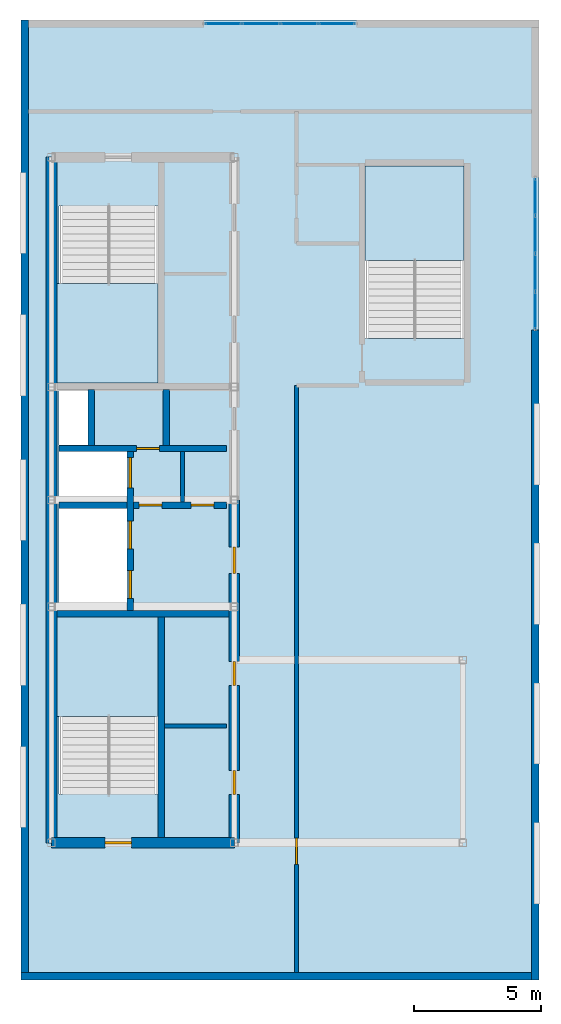
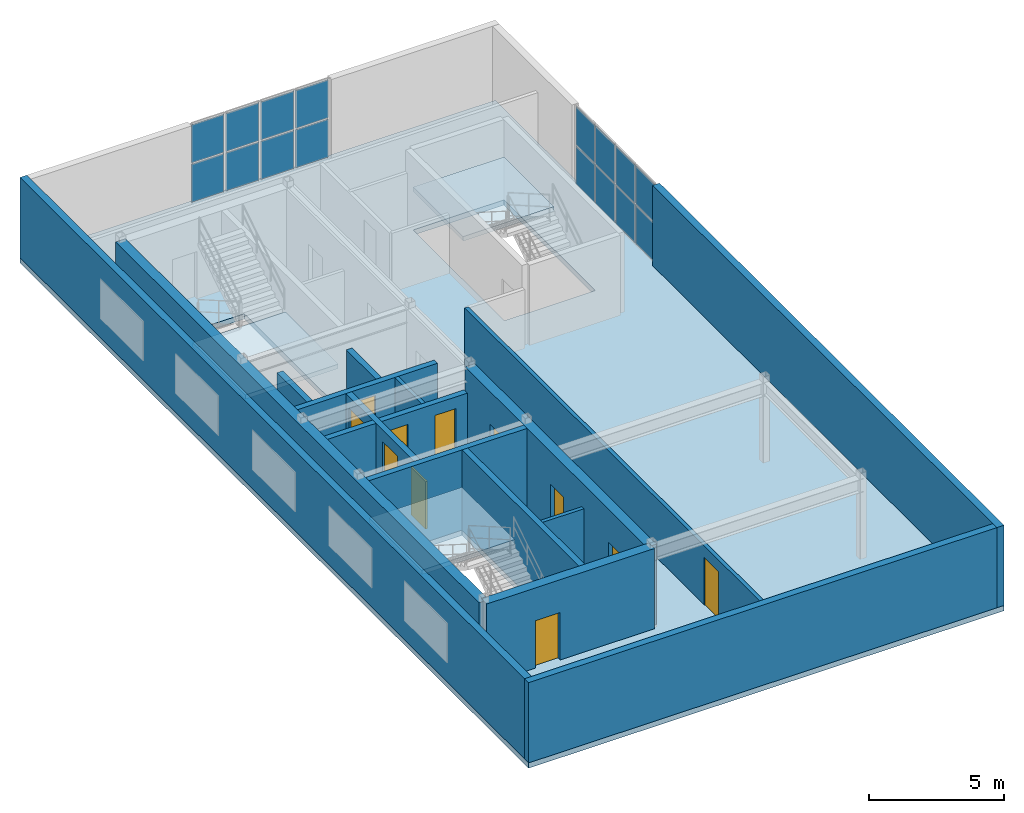
# One storey, part 4 of 6: 16 plates, 16 walls, 11 doors, 4 slabs, 11 openings, 5 elements without a shape of their own.
"""IFC4 building model written with IfcOpenShell, lengths in metres."""

from ifc_helpers import new_model, entity, si_unit, converted_unit, direction, frame, origin_with_axes, origin_2d_with_axis, place, context, subcontext, project, spatial, polyline, rectangle, outline, extrude, material, layer, layer_set, type_object, element, fill, aggregate, save


model = new_model("IFC4")

# Units and contexts
model_context = context("Model", 3, precision=1e-05, world=origin_with_axes(), true_north=direction((0.0, 1.0)))
body_context = subcontext(model_context, "Body", "Model", "MODEL_VIEW")
ifc_project = project(units=[si_unit("LENGTHUNIT", "METRE"), si_unit("AREAUNIT", "SQUARE_METRE"), si_unit("VOLUMEUNIT", "CUBIC_METRE"), converted_unit("PLANEANGLEUNIT", "DEGREE", entity("IfcPlaneAngleMeasure", 0.017453292519943295), si_unit("PLANEANGLEUNIT", "RADIAN"), dimensions=[0, 0, 0, 0, 0, 0, 0]), si_unit("MASSUNIT", "GRAM", prefix="KILO"), si_unit("THERMODYNAMICTEMPERATUREUNIT", "KELVIN")], contexts=[model_context])

# Site, building, storey
site_placement = place(None, origin_with_axes())
site = spatial("IfcSite", under=ifc_project, at=site_placement, CompositionType="ELEMENT")
building_placement = place(site_placement, origin_with_axes())
building = spatial("IfcBuilding", under=site, at=building_placement, Name="Varnlund Millrace Tower", CompositionType="ELEMENT")
storey_placement = place(building_placement, frame((0.0, 0.0, 324.3), z_axis=(0.0, 0.0, 1.0), x_axis=(1.0, 0.0, 0.0)))
storey = spatial("IfcBuildingStorey", under=building, at=storey_placement, Name="L80", CompositionType="ELEMENT", Elevation=324.3)

# Curtain wall, plates
ifc_material_1 = material(Name="Thermally broken architectural bronze curtain wall", Category="aluminium")
curtain_wall_type = type_object("IfcCurtainWallType", Name="Type-CW-Sys7-CrownLantern", PredefinedType="NOTDEFINED", material=ifc_material_1)
curtain_wall_1_placement = place(storey_placement, frame((30.45, 37.0, 0.0), z_axis=(0.0, 0.0, 1.0), x_axis=(1.0, 0.0, 0.0)))
curtain_wall_1 = element("IfcCurtainWall", 1, at=curtain_wall_1_placement, inside=storey, type_object=curtain_wall_type, Name="Type-CW-Sys7-CrownLantern", PredefinedType="NOTDEFINED")
ifc_material_2 = material(Name="Fritted low-e triple-glazed lantern curtain-wall unit", Category="glass")
ifc_layer_1 = layer(ifc_material_2, 0.032, Name="Fritted low-e triple-glazed lantern curtain-wall unit")
ifc_layer_set_1 = layer_set([ifc_layer_1], Name="Fritted low-e triple-glazed lantern curtain-wall unit")
plate_type = type_object("IfcPlateType", Name="Type-CW-Panel-Clerestory-32", PredefinedType="CURTAIN_PANEL", material=ifc_layer_set_1)
plate_1_placement = place(storey_placement, frame((30.45, 36.23375, 0.065), z_axis=(0.0, 0.0, 1.0), x_axis=(0.0, -1.0, 0.0)))
plate_1 = element("IfcPlate", 2, at=plate_1_placement, type_object=plate_type, Name="CW-07 panel 1.1", PredefinedType="CURTAIN_PANEL", context=body_context, shape_type="SweptSolid", body=[
    extrude(rectangle(XDim=1.4025, YDim=0.032, at=origin_2d_with_axis()), origin_with_axes(), (0.0, 0.0, 1.0), 1.7225),
])
plate_2_placement = place(storey_placement, frame((30.45, 36.23375, 1.8525), z_axis=(0.0, 0.0, 1.0), x_axis=(0.0, -1.0, 0.0)))
plate_2 = element("IfcPlate", 3, at=plate_2_placement, type_object=plate_type, Name="CW-07 panel 1.2", PredefinedType="CURTAIN_PANEL", context=body_context, shape_type="SweptSolid", body=[
    extrude(rectangle(XDim=1.4025, YDim=0.032, at=origin_2d_with_axis()), origin_with_axes(), (0.0, 0.0, 1.0), 1.7225),
])
plate_3_placement = place(storey_placement, frame((30.45, 34.75, 0.065), z_axis=(0.0, 0.0, 1.0), x_axis=(0.0, -1.0, 0.0)))
plate_3 = element("IfcPlate", 4, at=plate_3_placement, type_object=plate_type, Name="CW-07 panel 2.1", PredefinedType="CURTAIN_PANEL", context=body_context, shape_type="SweptSolid", body=[
    extrude(rectangle(XDim=1.435, YDim=0.032, at=origin_2d_with_axis()), origin_with_axes(), (0.0, 0.0, 1.0), 1.7225),
])
plate_4_placement = place(storey_placement, frame((30.45, 34.75, 1.8525), z_axis=(0.0, 0.0, 1.0), x_axis=(0.0, -1.0, 0.0)))
plate_4 = element("IfcPlate", 5, at=plate_4_placement, type_object=plate_type, Name="CW-07 panel 2.2", PredefinedType="CURTAIN_PANEL", context=body_context, shape_type="SweptSolid", body=[
    extrude(rectangle(XDim=1.435, YDim=0.032, at=origin_2d_with_axis()), origin_with_axes(), (0.0, 0.0, 1.0), 1.7225),
])
plate_5_placement = place(storey_placement, frame((30.45, 33.25, 0.065), z_axis=(0.0, 0.0, 1.0), x_axis=(0.0, -1.0, 0.0)))
plate_5 = element("IfcPlate", 6, at=plate_5_placement, type_object=plate_type, Name="CW-07 panel 3.1", PredefinedType="CURTAIN_PANEL", context=body_context, shape_type="SweptSolid", body=[
    extrude(rectangle(XDim=1.435, YDim=0.032, at=origin_2d_with_axis()), origin_with_axes(), (0.0, 0.0, 1.0), 1.7225),
])
plate_6_placement = place(storey_placement, frame((30.45, 33.25, 1.8525), z_axis=(0.0, 0.0, 1.0), x_axis=(0.0, -1.0, 0.0)))
plate_6 = element("IfcPlate", 7, at=plate_6_placement, type_object=plate_type, Name="CW-07 panel 3.2", PredefinedType="CURTAIN_PANEL", context=body_context, shape_type="SweptSolid", body=[
    extrude(rectangle(XDim=1.435, YDim=0.032, at=origin_2d_with_axis()), origin_with_axes(), (0.0, 0.0, 1.0), 1.7225),
])
plate_7_placement = place(storey_placement, frame((30.45, 31.76625, 0.065), z_axis=(0.0, 0.0, 1.0), x_axis=(0.0, -1.0, 0.0)))
plate_7 = element("IfcPlate", 8, at=plate_7_placement, type_object=plate_type, Name="CW-07 panel 4.1", PredefinedType="CURTAIN_PANEL", context=body_context, shape_type="SweptSolid", body=[
    extrude(rectangle(XDim=1.4025, YDim=0.032, at=origin_2d_with_axis()), origin_with_axes(), (0.0, 0.0, 1.0), 1.7225),
])
plate_8_placement = place(storey_placement, frame((30.45, 31.76625, 1.8525), z_axis=(0.0, 0.0, 1.0), x_axis=(0.0, -1.0, 0.0)))
plate_8 = element("IfcPlate", 9, at=plate_8_placement, type_object=plate_type, Name="CW-07 panel 4.2", PredefinedType="CURTAIN_PANEL", context=body_context, shape_type="SweptSolid", body=[
    extrude(rectangle(XDim=1.4025, YDim=0.032, at=origin_2d_with_axis()), origin_with_axes(), (0.0, 0.0, 1.0), 1.7225),
])
aggregate(curtain_wall_1, [plate_1, plate_2, plate_3, plate_4, plate_5, plate_6, plate_7, plate_8])

curtain_wall_2_placement = place(storey_placement, frame((17.4, 43.05, 0.0), z_axis=(0.0, 0.0, 1.0), x_axis=(1.0, 0.0, 0.0)))
curtain_wall_2 = element("IfcCurtainWall", 10, at=curtain_wall_2_placement, inside=storey, type_object=curtain_wall_type, Name="Type-CW-Sys7-CrownLantern", PredefinedType="NOTDEFINED")
plate_9_placement = place(storey_placement, frame((18.16625, 43.05, 0.065), z_axis=(0.0, 0.0, 1.0), x_axis=(1.0, 0.0, 0.0)))
plate_9 = element("IfcPlate", 11, at=plate_9_placement, type_object=plate_type, Name="CW-07 panel 1.1", PredefinedType="CURTAIN_PANEL", context=body_context, shape_type="SweptSolid", body=[
    extrude(rectangle(XDim=1.4025, YDim=0.032, at=origin_2d_with_axis()), origin_with_axes(), (0.0, 0.0, 1.0), 1.7225),
])
plate_10_placement = place(storey_placement, frame((18.16625, 43.05, 1.8525), z_axis=(0.0, 0.0, 1.0), x_axis=(1.0, 0.0, 0.0)))
plate_10 = element("IfcPlate", 12, at=plate_10_placement, type_object=plate_type, Name="CW-07 panel 1.2", PredefinedType="CURTAIN_PANEL", context=body_context, shape_type="SweptSolid", body=[
    extrude(rectangle(XDim=1.4025, YDim=0.032, at=origin_2d_with_axis()), origin_with_axes(), (0.0, 0.0, 1.0), 1.7225),
])
plate_11_placement = place(storey_placement, frame((19.65, 43.05, 0.065), z_axis=(0.0, 0.0, 1.0), x_axis=(1.0, 0.0, 0.0)))
plate_11 = element("IfcPlate", 13, at=plate_11_placement, type_object=plate_type, Name="CW-07 panel 2.1", PredefinedType="CURTAIN_PANEL", context=body_context, shape_type="SweptSolid", body=[
    extrude(rectangle(XDim=1.435, YDim=0.032, at=origin_2d_with_axis()), origin_with_axes(), (0.0, 0.0, 1.0), 1.7225),
])
plate_12_placement = place(storey_placement, frame((19.65, 43.05, 1.8525), z_axis=(0.0, 0.0, 1.0), x_axis=(1.0, 0.0, 0.0)))
plate_12 = element("IfcPlate", 14, at=plate_12_placement, type_object=plate_type, Name="CW-07 panel 2.2", PredefinedType="CURTAIN_PANEL", context=body_context, shape_type="SweptSolid", body=[
    extrude(rectangle(XDim=1.435, YDim=0.032, at=origin_2d_with_axis()), origin_with_axes(), (0.0, 0.0, 1.0), 1.7225),
])
plate_13_placement = place(storey_placement, frame((21.15, 43.05, 0.065), z_axis=(0.0, 0.0, 1.0), x_axis=(1.0, 0.0, 0.0)))
plate_13 = element("IfcPlate", 15, at=plate_13_placement, type_object=plate_type, Name="CW-07 panel 3.1", PredefinedType="CURTAIN_PANEL", context=body_context, shape_type="SweptSolid", body=[
    extrude(rectangle(XDim=1.435, YDim=0.032, at=origin_2d_with_axis()), origin_with_axes(), (0.0, 0.0, 1.0), 1.7225),
])
plate_14_placement = place(storey_placement, frame((21.15, 43.05, 1.8525), z_axis=(0.0, 0.0, 1.0), x_axis=(1.0, 0.0, 0.0)))
plate_14 = element("IfcPlate", 16, at=plate_14_placement, type_object=plate_type, Name="CW-07 panel 3.2", PredefinedType="CURTAIN_PANEL", context=body_context, shape_type="SweptSolid", body=[
    extrude(rectangle(XDim=1.435, YDim=0.032, at=origin_2d_with_axis()), origin_with_axes(), (0.0, 0.0, 1.0), 1.7225),
])
plate_15_placement = place(storey_placement, frame((22.63375, 43.05, 0.065), z_axis=(0.0, 0.0, 1.0), x_axis=(1.0, 0.0, 0.0)))
plate_15 = element("IfcPlate", 17, at=plate_15_placement, type_object=plate_type, Name="CW-07 panel 4.1", PredefinedType="CURTAIN_PANEL", context=body_context, shape_type="SweptSolid", body=[
    extrude(rectangle(XDim=1.4025, YDim=0.032, at=origin_2d_with_axis()), origin_with_axes(), (0.0, 0.0, 1.0), 1.7225),
])
plate_16_placement = place(storey_placement, frame((22.63375, 43.05, 1.8525), z_axis=(0.0, 0.0, 1.0), x_axis=(1.0, 0.0, 0.0)))
plate_16 = element("IfcPlate", 18, at=plate_16_placement, type_object=plate_type, Name="CW-07 panel 4.2", PredefinedType="CURTAIN_PANEL", context=body_context, shape_type="SweptSolid", body=[
    extrude(rectangle(XDim=1.4025, YDim=0.032, at=origin_2d_with_axis()), origin_with_axes(), (0.0, 0.0, 1.0), 1.7225),
])
aggregate(curtain_wall_2, [plate_9, plate_10, plate_11, plate_12, plate_13, plate_14, plate_15, plate_16])

# Slab
ifc_material_3 = material(Name="Concrete C60/75", Category="concrete")
ifc_layer_2 = layer(ifc_material_3, 0.24, Name="Concrete C60/75")
ifc_layer_set_2 = layer_set([ifc_layer_2], Name="Concrete C60/75")
slab_type_1 = type_object("IfcSlabType", Name="Type-Deck-Plate-Typical-240", PredefinedType="FLOOR", material=ifc_layer_set_2)
slab_1_placement = place(storey_placement, frame((0.0, 0.0, -0.24), z_axis=(0.0, 0.0, 1.0), x_axis=(1.0, 0.0, 0.0)))
element("IfcSlab", 19, at=slab_1_placement, inside=storey, type_object=slab_type_1, Name="Type-Deck-Plate-Typical-240", PredefinedType="FLOOR", context=body_context, shape_type="SweptSolid", body=[
    extrude(outline(polyline([(30.6, 5.4), (30.6, 43.2), (10.2, 43.2), (10.2, 5.4), (30.6, 5.4)]), holes=[polyline([(11.7, 19.7), (15.6, 19.7), (15.6, 12.715), (11.7, 12.715), (11.7, 19.7)]), polyline([(11.7, 19.94), (11.7, 23.98), (14.38, 23.98), (14.38, 19.94), (11.7, 19.94)]), polyline([(14.38, 26.2), (14.38, 24.24), (11.7, 24.24), (11.7, 26.2), (14.38, 26.2)]), polyline([(12.84, 28.65), (12.84, 26.46), (11.7, 26.46), (11.7, 28.65), (12.84, 28.65)]), polyline([(15.6, 35.885), (15.6, 28.9), (11.7, 28.9), (11.7, 35.885), (15.6, 35.885)]), polyline([(27.65, 37.45), (27.65, 30.665), (23.75, 30.665), (23.75, 37.45), (27.65, 37.45)])]), origin_with_axes(), (0.0, 0.0, 1.0), 0.24),
])

# Stair, slab
ifc_material_4 = material(Name="Concrete C50/60", Category="concrete")
stair_type = type_object("IfcStairType", Name="Type-Stair-Dogleg-185-390", PredefinedType="HALF_TURN_STAIR", material=ifc_material_4)
stair_1_placement = place(storey_placement, origin_with_axes())
stair_1 = element("IfcStair", 20, at=stair_1_placement, inside=storey, type_object=stair_type, Name="Type-Stair-Dogleg-185-390", PredefinedType="HALF_TURN_STAIR")
ifc_layer_3 = layer(ifc_material_4, 0.2, Name="Concrete C50/60")
ifc_layer_set_3 = layer_set([ifc_layer_3], Name="Concrete C50/60")
slab_type_2 = type_object("IfcSlabType", Name="Type-StairLanding-200", PredefinedType="LANDING", material=ifc_layer_set_3)
slab_2_placement = place(storey_placement, frame((0.0, 0.0, 1.75), z_axis=(0.0, 0.0, 1.0), x_axis=(1.0, 0.0, 0.0)))
slab_2 = element("IfcSlab", 21, at=slab_2_placement, type_object=slab_type_2, Name="ST-A1 landing 1", PredefinedType="LANDING", context=body_context, shape_type="SweptSolid", body=[
    extrude(outline(polyline([(15.6, 15.78), (15.6, 19.7), (11.61, 19.7), (11.61, 15.78), (15.6, 15.78)])), origin_with_axes(), (0.0, 0.0, 1.0), 0.2),
])
aggregate(stair_1, [slab_2])

stair_2_placement = place(storey_placement, origin_with_axes())
stair_2 = element("IfcStair", 22, at=stair_2_placement, inside=storey, type_object=stair_type, Name="Type-Stair-Dogleg-185-390", PredefinedType="HALF_TURN_STAIR")
slab_3_placement = place(storey_placement, frame((0.0, 0.0, 1.75), z_axis=(0.0, 0.0, 1.0), x_axis=(1.0, 0.0, 0.0)))
slab_3 = element("IfcSlab", 23, at=slab_3_placement, type_object=slab_type_2, Name="ST-A2 landing 1", PredefinedType="LANDING", context=body_context, shape_type="SweptSolid", body=[
    extrude(outline(polyline([(11.61, 32.82), (11.61, 28.9), (15.6, 28.9), (15.6, 32.82), (11.61, 32.82)])), origin_with_axes(), (0.0, 0.0, 1.0), 0.2),
])
aggregate(stair_2, [slab_3])

stair_3_placement = place(storey_placement, origin_with_axes())
stair_3 = element("IfcStair", 24, at=stair_3_placement, inside=storey, type_object=stair_type, Name="Type-Stair-Dogleg-185-390", PredefinedType="HALF_TURN_STAIR")
slab_4_placement = place(storey_placement, frame((0.0, 0.0, 1.75), z_axis=(0.0, 0.0, 1.0), x_axis=(1.0, 0.0, 0.0)))
slab_4 = element("IfcSlab", 25, at=slab_4_placement, type_object=slab_type_2, Name="ST-A3 landing 1", PredefinedType="LANDING", context=body_context, shape_type="SweptSolid", body=[
    extrude(outline(polyline([(27.65, 33.73), (27.65, 37.45), (23.75, 37.45), (23.75, 33.73), (27.65, 33.73)])), origin_with_axes(), (0.0, 0.0, 1.0), 0.2),
])
aggregate(stair_3, [slab_4])

# Wall
ifc_layer_4 = layer(ifc_material_3, 0.42, Name="Concrete C60/75")
ifc_layer_set_4 = layer_set([ifc_layer_4], Name="Concrete C60/75")
wall_type_1 = type_object("IfcWallType", Name="Type-CoreWall-Shear-420-C60", PredefinedType="SHEAR", material=ifc_layer_set_4)
wall_1_placement = place(storey_placement, frame((11.4, 10.8, 0.0), z_axis=(0.0, 0.0, 1.0), x_axis=(0.0, 1.0, 0.0)))
element("IfcWall", 26, at=wall_1_placement, inside=storey, type_object=wall_type_1, Name="Type-CoreWall-Shear-420-C60", PredefinedType="SHEAR", context=body_context, shape_type="SweptSolid", body=[
    extrude(outline(polyline([(0.0, -0.21), (27.0, -0.21), (27.0, 0.21), (0.0, 0.21), (0.0, -0.21)])), origin_with_axes(), (0.0, 0.0, 1.0), 3.64),
])

# Wall, opening, door
wall_2_placement = place(storey_placement, frame((11.4, 10.8, 0.0), z_axis=(0.0, 0.0, 1.0), x_axis=(1.0, 0.0, 0.0)))
wall_2 = element("IfcWall", 27, at=wall_2_placement, inside=storey, type_object=wall_type_1, Name="Type-CoreWall-Shear-420-C60", PredefinedType="SHEAR", context=body_context, shape_type="SweptSolid", body=[
    extrude(outline(polyline([(0.0, -0.21), (7.2, -0.21), (7.2, 0.21), (0.0, 0.21), (0.0, -0.21)])), origin_with_axes(), (0.0, 0.0, 1.0), 3.64),
])
opening_1_placement = place(wall_2_placement, frame((2.625, 0.0, 0.0), z_axis=(0.0, 0.0, 1.0), x_axis=(1.0, 0.0, 0.0)))
opening_1 = element("IfcOpeningElement", 28, at=opening_1_placement, cuts=wall_2, Name="Opening L80:DR-STA1", PredefinedType="OPENING", context=body_context, shape_type="SweptSolid", body=[
    extrude(rectangle(XDim=1.05, YDim=0.44, at=origin_2d_with_axis()), origin_with_axes(), (0.0, 0.0, 1.0), 2.15),
])
ifc_material_5 = material(Name="Fire-rated hollow steel door", Category="steel")
door_type_1 = type_object("IfcDoorType", Name="Type-FireDoor-Stair-1050X2150", OperationType="NOTDEFINED", PredefinedType="DOOR", material=ifc_material_5)
door_1_placement = place(wall_2_placement, frame((2.625, 0.0, 0.0), z_axis=(0.0, 0.0, 1.0), x_axis=(1.0, 0.0, 0.0)))
door_1 = element("IfcDoor", 29, at=door_1_placement, inside=storey, type_object=door_type_1, Name="Type-FireDoor-Stair-1050X2150", OperationType="SINGLE_SWING_LEFT", OverallHeight=2.15, OverallWidth=1.05, PredefinedType="DOOR", context=body_context, shape_type="SweptSolid", body=[
    extrude(rectangle(XDim=1.05, YDim=0.09, at=origin_2d_with_axis()), origin_with_axes(), (0.0, 0.0, 1.0), 2.15),
])
fill(opening_1, door_1)

# Wall, openings, doors
wall_3_placement = place(storey_placement, frame((18.6, 10.8, 0.0), z_axis=(0.0, 0.0, 1.0), x_axis=(0.0, 1.0, 0.0)))
wall_3 = element("IfcWall", 30, at=wall_3_placement, inside=storey, type_object=wall_type_1, Name="Type-CoreWall-Shear-420-C60", PredefinedType="SHEAR", context=body_context, shape_type="SweptSolid", body=[
    extrude(outline(polyline([(0.0, -0.21), (13.5, -0.21), (13.5, 0.21), (0.0, 0.21), (0.0, -0.21)])), origin_with_axes(), (0.0, 0.0, 1.0), 3.64),
])
opening_2_placement = place(wall_3_placement, frame((11.125, 0.0, 0.0), z_axis=(0.0, 0.0, 1.0), x_axis=(1.0, 0.0, 0.0)))
opening_2 = element("IfcOpeningElement", 31, at=opening_2_placement, cuts=wall_3, Name="Opening L80:DR-FFLOB-A", PredefinedType="OPENING", context=body_context, shape_type="SweptSolid", body=[
    extrude(rectangle(XDim=1.05, YDim=0.44, at=origin_2d_with_axis()), origin_with_axes(), (0.0, 0.0, 1.0), 2.15),
])
opening_3_placement = place(wall_3_placement, frame((2.375, 0.0, 0.0), z_axis=(0.0, 0.0, 1.0), x_axis=(1.0, 0.0, 0.0)))
opening_3 = element("IfcOpeningElement", 32, at=opening_3_placement, cuts=wall_3, Name="Opening L80:DR-CRN-C1", PredefinedType="OPENING", context=body_context, shape_type="SweptSolid", body=[
    extrude(rectangle(XDim=0.95, YDim=0.44, at=origin_2d_with_axis()), origin_with_axes(), (0.0, 0.0, 1.0), 2.15),
])
opening_4_placement = place(wall_3_placement, frame((6.675, 0.0, 0.0), z_axis=(0.0, 0.0, 1.0), x_axis=(1.0, 0.0, 0.0)))
opening_4 = element("IfcOpeningElement", 33, at=opening_4_placement, cuts=wall_3, Name="Opening L80:DR-CRN-C2", PredefinedType="OPENING", context=body_context, shape_type="SweptSolid", body=[
    extrude(rectangle(XDim=0.95, YDim=0.44, at=origin_2d_with_axis()), origin_with_axes(), (0.0, 0.0, 1.0), 2.15),
])
ifc_material_6 = material(Name="Smoke-barrier hollow steel fire door", Category="steel")
door_type_2 = type_object("IfcDoorType", Name="Type-FireDoor-Lobby-1050X2150", OperationType="NOTDEFINED", PredefinedType="DOOR", material=ifc_material_6)
door_2_placement = place(wall_3_placement, frame((11.125, 0.0, 0.0), z_axis=(0.0, 0.0, 1.0), x_axis=(1.0, 0.0, 0.0)))
door_2 = element("IfcDoor", 34, at=door_2_placement, inside=storey, type_object=door_type_2, Name="Type-FireDoor-Lobby-1050X2150", OperationType="SINGLE_SWING_LEFT", OverallHeight=2.15, OverallWidth=1.05, PredefinedType="DOOR", context=body_context, shape_type="SweptSolid", body=[
    extrude(rectangle(XDim=1.05, YDim=0.09, at=origin_2d_with_axis()), origin_with_axes(), (0.0, 0.0, 1.0), 2.15),
])
fill(opening_2, door_2)
ifc_material_7 = material(Name="Fire-rated hollow steel core service door", Category="steel")
door_type_3 = type_object("IfcDoorType", Name="Type-FireDoor-Service-950X2150", OperationType="NOTDEFINED", PredefinedType="DOOR", material=ifc_material_7)
door_3_placement = place(wall_3_placement, frame((2.375, 0.0, 0.0), z_axis=(0.0, 0.0, 1.0), x_axis=(1.0, 0.0, 0.0)))
door_3 = element("IfcDoor", 35, at=door_3_placement, inside=storey, type_object=door_type_3, Name="Type-FireDoor-Service-950X2150", OperationType="SINGLE_SWING_LEFT", OverallHeight=2.15, OverallWidth=0.95, PredefinedType="DOOR", context=body_context, shape_type="SweptSolid", body=[
    extrude(rectangle(XDim=0.95, YDim=0.09, at=origin_2d_with_axis()), origin_with_axes(), (0.0, 0.0, 1.0), 2.15),
])
fill(opening_3, door_3)
door_4_placement = place(wall_3_placement, frame((6.675, 0.0, 0.0), z_axis=(0.0, 0.0, 1.0), x_axis=(1.0, 0.0, 0.0)))
door_4 = element("IfcDoor", 36, at=door_4_placement, inside=storey, type_object=door_type_3, Name="Type-FireDoor-Service-950X2150", OperationType="SINGLE_SWING_RIGHT", OverallHeight=2.15, OverallWidth=0.95, PredefinedType="DOOR", context=body_context, shape_type="SweptSolid", body=[
    extrude(rectangle(XDim=0.95, YDim=0.09, at=origin_2d_with_axis()), origin_with_axes(), (0.0, 0.0, 1.0), 2.15),
])
fill(opening_4, door_4)

# Walls
ifc_material_8 = material(Name="Precast concrete C50/60", Category="concrete")
ifc_layer_5 = layer(ifc_material_8, 0.3, Name="Precast concrete C50/60")
ifc_layer_set_5 = layer_set([ifc_layer_5], Name="Precast concrete C50/60")
wall_type_2 = type_object("IfcWallType", Name="Type-ExtWall-Precast-Crown-300", PredefinedType="SOLIDWALL", material=ifc_layer_set_5)
wall_4_placement = place(storey_placement, frame((10.35, 5.7, 0.0), z_axis=(0.0, 0.0, 1.0), x_axis=(0.0, 1.0, 0.0)))
element("IfcWall", 37, at=wall_4_placement, inside=storey, type_object=wall_type_2, Name="Type-ExtWall-Precast-Crown-300", PredefinedType="SOLIDWALL", context=body_context, shape_type="SweptSolid", body=[
    extrude(outline(polyline([(0.0, -0.15), (37.5, -0.15), (37.5, 0.15), (0.0, 0.15), (0.0, -0.15)])), origin_with_axes(), (0.0, 0.0, 1.0), 3.64),
])
wall_5_placement = place(storey_placement, frame((30.45, 31.0, 0.0), z_axis=(0.0, 0.0, 1.0), x_axis=(0.0, -1.0, 0.0)))
element("IfcWall", 38, at=wall_5_placement, inside=storey, type_object=wall_type_2, Name="Type-ExtWall-Precast-Crown-300", PredefinedType="SOLIDWALL", context=body_context, shape_type="SweptSolid", body=[
    extrude(outline(polyline([(0.0, -0.15), (25.6, -0.15), (25.6, 0.15), (0.0, 0.15), (0.0, -0.15)])), origin_with_axes(), (0.0, 0.0, 1.0), 3.64),
])
wall_6_placement = place(storey_placement, frame((30.3, 5.55, 0.0), z_axis=(0.0, 0.0, 1.0), x_axis=(-1.0, 0.0, 0.0)))
element("IfcWall", 39, at=wall_6_placement, inside=storey, type_object=wall_type_2, Name="Type-ExtWall-Precast-Crown-300", PredefinedType="SOLIDWALL", context=body_context, shape_type="SweptSolid", body=[
    extrude(outline(polyline([(0.0, -0.15), (20.1, -0.15), (20.1, 0.15), (0.0, 0.15), (0.0, -0.15)])), origin_with_axes(), (0.0, 0.0, 1.0), 3.64),
])
ifc_material_9 = material(Name="Fire-rated gypsum board on cold-formed steel framing", Category="steel")
ifc_layer_6 = layer(ifc_material_9, 0.16, Name="Fire-rated gypsum board on cold-formed steel framing")
ifc_layer_set_6 = layer_set([ifc_layer_6], Name="Fire-rated gypsum board on cold-formed steel framing")
wall_type_3 = type_object("IfcWallType", Name="Type-Partition-Corridor-160", PredefinedType="PARTITIONING", material=ifc_layer_set_6)
wall_7_placement = place(storey_placement, frame((16.55, 24.22, 0.0), z_axis=(0.0, 0.0, 1.0), x_axis=(0.0, 1.0, 0.0)))
element("IfcWall", 40, at=wall_7_placement, inside=storey, type_object=wall_type_3, Name="Type-Partition-Corridor-160", PredefinedType="PARTITIONING", context=body_context, shape_type="SweptSolid", body=[
    extrude(outline(polyline([(0.0, -0.08), (1.98, -0.08), (1.98, 0.08), (0.0, 0.08), (0.0, -0.08)])), origin_with_axes(), (0.0, 0.0, 1.0), 2.68),
])
wall_8_placement = place(storey_placement, frame((15.84, 15.4, 0.0), z_axis=(0.0, 0.0, 1.0), x_axis=(1.0, 0.0, 0.0)))
element("IfcWall", 41, at=wall_8_placement, inside=storey, type_object=wall_type_3, Name="Type-Partition-Corridor-160", PredefinedType="PARTITIONING", context=body_context, shape_type="SweptSolid", body=[
    extrude(outline(polyline([(0.0, -0.08), (2.46, -0.08), (2.46, 0.08), (0.0, 0.08), (0.0, -0.08)])), origin_with_axes(), (0.0, 0.0, 1.0), 2.68),
])

# Wall, opening, door
wall_9_placement = place(storey_placement, frame((21.05, 5.695, 0.0), z_axis=(0.0, 0.0, 1.0), x_axis=(0.0, 1.0, 0.0)))
wall_9 = element("IfcWall", 42, at=wall_9_placement, inside=storey, type_object=wall_type_3, Name="Type-Partition-Corridor-160", PredefinedType="PARTITIONING", context=body_context, shape_type="SweptSolid", body=[
    extrude(outline(polyline([(0.0, -0.08), (23.105, -0.08), (23.105, 0.08), (0.0, 0.08), (0.0, -0.08)])), origin_with_axes(), (0.0, 0.0, 1.0), 2.68),
])
opening_5_placement = place(wall_9_placement, frame((4.78, 0.0, 0.0), z_axis=(0.0, 0.0, 1.0), x_axis=(1.0, 0.0, 0.0)))
opening_5 = element("IfcOpeningElement", 43, at=opening_5_placement, cuts=wall_9, Name="Opening L80:DR-CRN-PLT", PredefinedType="OPENING", context=body_context, shape_type="SweptSolid", body=[
    extrude(rectangle(XDim=1.05, YDim=0.18, at=origin_2d_with_axis()), origin_with_axes(), (0.0, 0.0, 1.0), 2.15),
])
door_5_placement = place(wall_9_placement, frame((4.78, 0.0, 0.0), z_axis=(0.0, 0.0, 1.0), x_axis=(1.0, 0.0, 0.0)))
door_5 = element("IfcDoor", 44, at=door_5_placement, inside=storey, type_object=door_type_2, Name="Type-FireDoor-Lobby-1050X2150", OperationType="SINGLE_SWING_LEFT", OverallHeight=2.15, OverallWidth=1.05, PredefinedType="DOOR", context=body_context, shape_type="SweptSolid", body=[
    extrude(rectangle(XDim=1.05, YDim=0.09, at=origin_2d_with_axis()), origin_with_axes(), (0.0, 0.0, 1.0), 2.15),
])
fill(opening_5, door_5)

# Wall, openings, doors
ifc_layer_7 = layer(ifc_material_3, 0.25, Name="Concrete C60/75")
ifc_layer_set_7 = layer_set([ifc_layer_7], Name="Concrete C60/75")
wall_type_4 = type_object("IfcWallType", Name="Type-ShaftWall-Fire-250", PredefinedType="SOLIDWALL", material=ifc_layer_set_7)
wall_10_placement = place(storey_placement, frame((14.5, 19.95, 0.0), z_axis=(0.0, 0.0, 1.0), x_axis=(0.0, 1.0, 0.0)))
wall_10 = element("IfcWall", 45, at=wall_10_placement, inside=storey, type_object=wall_type_4, Name="Type-ShaftWall-Fire-250", PredefinedType="SOLIDWALL", context=body_context, shape_type="SweptSolid", body=[
    extrude(outline(polyline([(0.0, -0.125), (6.25, -0.125), (6.25, 0.125), (0.0, 0.125), (0.0, -0.125)])), origin_with_axes(), (0.0, 0.0, 1.0), 2.68),
])
opening_6_placement = place(wall_10_placement, frame((1.025, 0.0, 0.0), z_axis=(0.0, 0.0, 1.0), x_axis=(1.0, 0.0, 0.0)))
opening_6 = element("IfcOpeningElement", 46, at=opening_6_placement, cuts=wall_10, Name="Opening L80:LD-FSAE1", PredefinedType="OPENING", context=body_context, shape_type="SweptSolid", body=[
    extrude(rectangle(XDim=1.1, YDim=0.27, at=origin_2d_with_axis()), origin_with_axes(), (0.0, 0.0, 1.0), 2.15),
])
opening_7_placement = place(wall_10_placement, frame((2.975, 0.0, 0.0), z_axis=(0.0, 0.0, 1.0), x_axis=(1.0, 0.0, 0.0)))
opening_7 = element("IfcOpeningElement", 47, at=opening_7_placement, cuts=wall_10, Name="Opening L80:LD-FSAE2", PredefinedType="OPENING", context=body_context, shape_type="SweptSolid", body=[
    extrude(rectangle(XDim=1.1, YDim=0.27, at=origin_2d_with_axis()), origin_with_axes(), (0.0, 0.0, 1.0), 2.15),
])
opening_8_placement = place(wall_10_placement, frame((5.425, 0.0, 0.0), z_axis=(0.0, 0.0, 1.0), x_axis=(1.0, 0.0, 0.0)))
opening_8 = element("IfcOpeningElement", 48, at=opening_8_placement, cuts=wall_10, Name="Opening L80:LD-SRV1", PredefinedType="OPENING", context=body_context, shape_type="SweptSolid", body=[
    extrude(rectangle(XDim=1.2, YDim=0.27, at=origin_2d_with_axis()), origin_with_axes(), (0.0, 0.0, 1.0), 2.15),
])
ifc_material_10 = material(Name="Stainless and architectural bronze sliding landing door")
door_type_4 = type_object("IfcDoorType", Name="Type-LiftLandingDoor-1100X2150", OperationType="NOTDEFINED", PredefinedType="DOOR", material=ifc_material_10)
door_6_placement = place(wall_10_placement, frame((1.025, 0.0, 0.0), z_axis=(0.0, 0.0, 1.0), x_axis=(1.0, 0.0, 0.0)))
door_6 = element("IfcDoor", 49, at=door_6_placement, inside=storey, type_object=door_type_4, Name="Type-LiftLandingDoor-1100X2150", OperationType="SLIDING_TO_LEFT", OverallHeight=2.15, OverallWidth=1.1, PredefinedType="DOOR", context=body_context, shape_type="SweptSolid", body=[
    extrude(rectangle(XDim=1.1, YDim=0.09, at=origin_2d_with_axis()), origin_with_axes(), (0.0, 0.0, 1.0), 2.15),
])
fill(opening_6, door_6)
door_7_placement = place(wall_10_placement, frame((2.975, 0.0, 0.0), z_axis=(0.0, 0.0, 1.0), x_axis=(1.0, 0.0, 0.0)))
door_7 = element("IfcDoor", 50, at=door_7_placement, inside=storey, type_object=door_type_4, Name="Type-LiftLandingDoor-1100X2150", OperationType="SLIDING_TO_RIGHT", OverallHeight=2.15, OverallWidth=1.1, PredefinedType="DOOR", context=body_context, shape_type="SweptSolid", body=[
    extrude(rectangle(XDim=1.1, YDim=0.09, at=origin_2d_with_axis()), origin_with_axes(), (0.0, 0.0, 1.0), 2.15),
])
fill(opening_7, door_7)
ifc_material_11 = material(Name="Heavy-duty freight sliding landing door")
door_type_5 = type_object("IfcDoorType", Name="Type-LiftLandingDoor-Service-1200X2150", OperationType="NOTDEFINED", PredefinedType="DOOR", material=ifc_material_11)
door_8_placement = place(wall_10_placement, frame((5.425, 0.0, 0.0), z_axis=(0.0, 0.0, 1.0), x_axis=(1.0, 0.0, 0.0)))
door_8 = element("IfcDoor", 51, at=door_8_placement, inside=storey, type_object=door_type_5, Name="Type-LiftLandingDoor-Service-1200X2150", OperationType="DOUBLE_DOOR_SLIDING", OverallHeight=2.15, OverallWidth=1.2, PredefinedType="DOOR", context=body_context, shape_type="SweptSolid", body=[
    extrude(rectangle(XDim=1.2, YDim=0.09, at=origin_2d_with_axis()), origin_with_axes(), (0.0, 0.0, 1.0), 2.15),
])
fill(opening_8, door_8)

wall_11_placement = place(storey_placement, frame((11.7, 24.1, 0.0), z_axis=(0.0, 0.0, 1.0), x_axis=(1.0, 0.0, 0.0)))
wall_11 = element("IfcWall", 52, at=wall_11_placement, inside=storey, type_object=wall_type_4, Name="Type-ShaftWall-Fire-250", PredefinedType="SOLIDWALL", context=body_context, shape_type="SweptSolid", body=[
    extrude(outline(polyline([(0.0, -0.125), (6.6, -0.125), (6.6, 0.125), (0.0, 0.125), (0.0, -0.125)])), origin_with_axes(), (0.0, 0.0, 1.0), 2.68),
])
opening_9_placement = place(wall_11_placement, frame((3.6, 0.0, 0.0), z_axis=(0.0, 0.0, 1.0), x_axis=(1.0, 0.0, 0.0)))
opening_9 = element("IfcOpeningElement", 53, at=opening_9_placement, cuts=wall_11, Name="Opening L80:DR-CA-SUB1", PredefinedType="OPENING", context=body_context, shape_type="SweptSolid", body=[
    extrude(rectangle(XDim=0.9, YDim=0.27, at=origin_2d_with_axis()), origin_with_axes(), (0.0, 0.0, 1.0), 2.15),
])
opening_10_placement = place(wall_11_placement, frame((5.65, 0.0, 0.0), z_axis=(0.0, 0.0, 1.0), x_axis=(1.0, 0.0, 0.0)))
opening_10 = element("IfcOpeningElement", 54, at=opening_10_placement, cuts=wall_11, Name="Opening L80:DR-CA-SUB2", PredefinedType="OPENING", context=body_context, shape_type="SweptSolid", body=[
    extrude(rectangle(XDim=0.9, YDim=0.27, at=origin_2d_with_axis()), origin_with_axes(), (0.0, 0.0, 1.0), 2.15),
])
ifc_material_12 = material(Name="Fire-rated hollow steel service closet door", Category="steel")
door_type_6 = type_object("IfcDoorType", Name="Type-FireDoor-Closet-900X2150", OperationType="NOTDEFINED", PredefinedType="DOOR", material=ifc_material_12)
door_9_placement = place(wall_11_placement, frame((3.6, 0.0, 0.0), z_axis=(0.0, 0.0, 1.0), x_axis=(1.0, 0.0, 0.0)))
door_9 = element("IfcDoor", 55, at=door_9_placement, inside=storey, type_object=door_type_6, Name="Type-FireDoor-Closet-900X2150", OperationType="SINGLE_SWING_LEFT", OverallHeight=2.15, OverallWidth=0.9, PredefinedType="DOOR", context=body_context, shape_type="SweptSolid", body=[
    extrude(rectangle(XDim=0.9, YDim=0.09, at=origin_2d_with_axis()), origin_with_axes(), (0.0, 0.0, 1.0), 2.15),
])
fill(opening_9, door_9)
door_10_placement = place(wall_11_placement, frame((5.65, 0.0, 0.0), z_axis=(0.0, 0.0, 1.0), x_axis=(1.0, 0.0, 0.0)))
door_10 = element("IfcDoor", 56, at=door_10_placement, inside=storey, type_object=door_type_6, Name="Type-FireDoor-Closet-900X2150", OperationType="SINGLE_SWING_LEFT", OverallHeight=2.15, OverallWidth=0.9, PredefinedType="DOOR", context=body_context, shape_type="SweptSolid", body=[
    extrude(rectangle(XDim=0.9, YDim=0.09, at=origin_2d_with_axis()), origin_with_axes(), (0.0, 0.0, 1.0), 2.15),
])
fill(opening_10, door_10)

# Wall, opening, door
wall_12_placement = place(storey_placement, frame((11.7, 26.325, 0.0), z_axis=(0.0, 0.0, 1.0), x_axis=(1.0, 0.0, 0.0)))
wall_12 = element("IfcWall", 57, at=wall_12_placement, inside=storey, type_object=wall_type_4, Name="Type-ShaftWall-Fire-250", PredefinedType="SOLIDWALL", context=body_context, shape_type="SweptSolid", body=[
    extrude(outline(polyline([(0.0, -0.125), (6.6, -0.125), (6.6, 0.125), (0.0, 0.125), (0.0, -0.125)])), origin_with_axes(), (0.0, 0.0, 1.0), 2.68),
])
opening_11_placement = place(wall_12_placement, frame((3.5, 0.0, 0.0), z_axis=(0.0, 0.0, 1.0), x_axis=(1.0, 0.0, 0.0)))
opening_11 = element("IfcOpeningElement", 58, at=opening_11_placement, cuts=wall_12, Name="Opening L80:DR-CA-ELC", PredefinedType="OPENING", context=body_context, shape_type="SweptSolid", body=[
    extrude(rectangle(XDim=0.9, YDim=0.27, at=origin_2d_with_axis()), origin_with_axes(), (0.0, 0.0, 1.0), 2.15),
])
door_11_placement = place(wall_12_placement, frame((3.5, 0.0, 0.0), z_axis=(0.0, 0.0, 1.0), x_axis=(1.0, 0.0, 0.0)))
door_11 = element("IfcDoor", 59, at=door_11_placement, inside=storey, type_object=door_type_6, Name="Type-FireDoor-Closet-900X2150", OperationType="SINGLE_SWING_LEFT", OverallHeight=2.15, OverallWidth=0.9, PredefinedType="DOOR", context=body_context, shape_type="SweptSolid", body=[
    extrude(rectangle(XDim=0.9, YDim=0.09, at=origin_2d_with_axis()), origin_with_axes(), (0.0, 0.0, 1.0), 2.15),
])
fill(opening_11, door_11)

# Walls
for number, where, z_axis, x_axis, name in (
    (60, (12.96, 26.45, 0.0), (0.0, 0.0, 1.0), (0.0, 1.0, 0.0), "Type-ShaftWall-Fire-250"),
    (61, (15.925, 26.45, 0.0), (0.0, 0.0, 1.0), (0.0, 1.0, 0.0), "Type-ShaftWall-Fire-250"),
):
    element("IfcWall", number, at=place(storey_placement, frame(where, z_axis=z_axis, x_axis=x_axis)), inside=storey, type_object=wall_type_4, Name=name, PredefinedType="SOLIDWALL", context=body_context, shape_type="SweptSolid", body=[
        extrude(outline(polyline([(0.0, -0.125), (2.2, -0.125), (2.2, 0.125), (0.0, 0.125), (0.0, -0.125)])), origin_with_axes(), (0.0, 0.0, 1.0), 2.68),
    ])
wall_type_5 = type_object("IfcWallType", Name="Type-StairWall-Shear-250", PredefinedType="SHEAR", material=ifc_layer_set_7)
wall_13_placement = place(storey_placement, frame((15.725, 11.01, 0.0), z_axis=(0.0, 0.0, 1.0), x_axis=(0.0, 1.0, 0.0)))
element("IfcWall", 62, at=wall_13_placement, inside=storey, type_object=wall_type_5, Name="Type-StairWall-Shear-250", PredefinedType="SHEAR", context=body_context, shape_type="SweptSolid", body=[
    extrude(outline(polyline([(0.0, -0.125), (8.69, -0.125), (8.69, 0.125), (0.0, 0.125), (0.0, -0.125)])), origin_with_axes(), (0.0, 0.0, 1.0), 3.64),
])
wall_14_placement = place(storey_placement, frame((11.61, 19.825, 0.0), z_axis=(0.0, 0.0, 1.0), x_axis=(1.0, 0.0, 0.0)))
element("IfcWall", 63, at=wall_14_placement, inside=storey, type_object=wall_type_5, Name="Type-StairWall-Shear-250", PredefinedType="SHEAR", context=body_context, shape_type="SweptSolid", body=[
    extrude(outline(polyline([(0.0, -0.125), (6.78, -0.125), (6.78, 0.125), (0.0, 0.125), (0.0, -0.125)])), origin_with_axes(), (0.0, 0.0, 1.0), 3.64),
])

save(model, "model.ifc")
